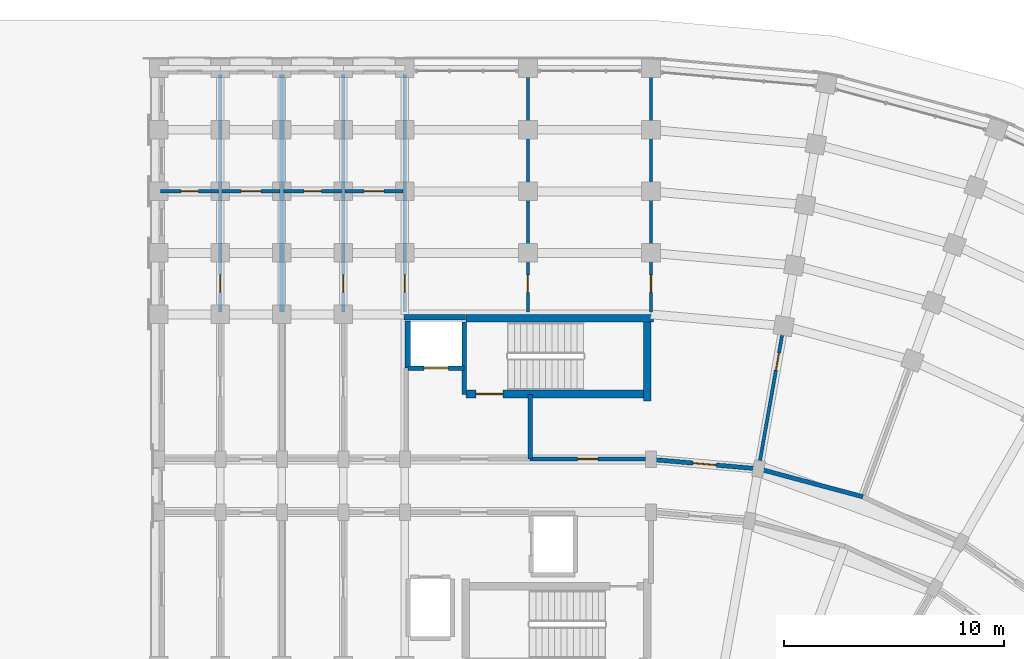
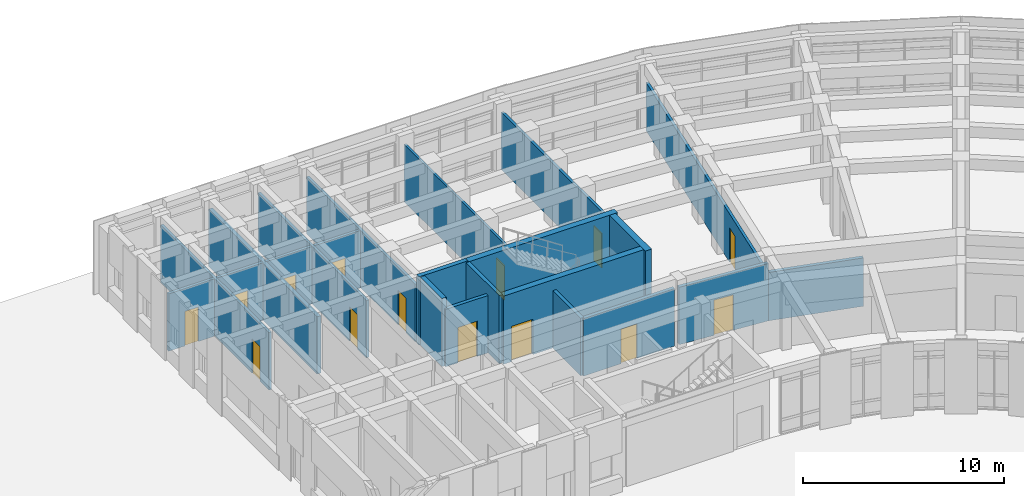
# One storey, part 106 of 135: 22 walls, 14 doors, 14 openings.
"""IFC4 building model written with IfcOpenShell, lengths in metres."""

from ifc_helpers import new_model, si_unit, direction, frame, frame_2d, origin, place, context, subcontext, project, spatial, rectangle, extrude, material, layer, layer_set, type_object, element, fill, save


model = new_model("IFC4")

# Units and contexts
model_context = context("Model", 3, precision=1e-05, world=origin(), true_north=direction((0.0, 1.0)))
body_context = subcontext(model_context, "Body", "Model", "MODEL_VIEW")
ifc_project = project(units=[si_unit("LENGTHUNIT", "METRE"), si_unit("AREAUNIT", "SQUARE_METRE"), si_unit("VOLUMEUNIT", "CUBIC_METRE"), si_unit("PLANEANGLEUNIT", "RADIAN"), si_unit("MASSUNIT", "GRAM", prefix="KILO")], contexts=[model_context])

# Site, building, storey
site_placement = place(None, origin())
site = spatial("IfcSite", under=ifc_project, at=site_placement, CompositionType="ELEMENT")
building_placement = place(site_placement, origin())
building = spatial("IfcBuilding", under=site, at=building_placement, Name="Kiranvali Square Residences", CompositionType="ELEMENT")
storey_placement = place(building_placement, origin())
storey = spatial("IfcBuildingStorey", under=building, at=storey_placement, Name="L00", CompositionType="ELEMENT", Elevation=0.0)

# Wall, opening, door
ifc_material_1 = material(Name="Autoclaved aerated concrete blockwork masonry", Category="masonry")
ifc_layer_1 = layer(ifc_material_1, 0.199951171875)
ifc_layer_set_1 = layer_set([ifc_layer_1], Name="Autoclaved aerated concrete blockwork masonry")
wall_type_1 = type_object("IfcWallType", Name="WL-COR-200", PredefinedType="STANDARD", material=ifc_layer_set_1)
wall_1_placement = place(storey_placement, frame((119.800048828125, 116.0, 0.0), z_axis=(0.0, 0.0, 1.0), x_axis=(0.996193663584, -0.087167566415, 0.0)))
wall_1 = element("IfcWall", 1, at=wall_1_placement, inside=storey, type_object=wall_type_1, Name="L00 architectural wall WL-L00-B-CCO-0", PredefinedType="STANDARD", context=body_context, shape_type="SweptSolid", body=[
    extrude(rectangle(XDim=4.91552734375, YDim=0.199951171875, at=frame_2d((2.457763671875, 0.0))), origin(), (0.0, 0.0, 1.0), 3.491943359375),
])
opening_1_placement = place(wall_1_placement, frame((1.917724609375, 0.0, 0.0)))
opening_1 = element("IfcOpeningElement", 2, at=opening_1_placement, cuts=wall_1, Name="Opening FD-APT-60C", PredefinedType="OPENING", context=body_context, shape_type="SweptSolid", body=[
    extrude(rectangle(XDim=1.080078125, YDim=2.14990234375, at=frame_2d((0.5400390625, 1.074951171875))), frame((0.0, 0.10986328125, 0.0), z_axis=(0.0, -1.0, 0.0), x_axis=(1.0, 0.0, 0.0)), (0.0, 0.0, 1.0), 0.219970703125),
])
ifc_material_2 = material(Name="Fire-rated acoustic hardwood and mineral-core door assembly", Category="wood")
door_type_1 = type_object("IfcDoorType", Name="DR-APT-1080", OperationType="NOTDEFINED", PredefinedType="DOOR", material=ifc_material_2)
door_1_placement = place(opening_1_placement, frame((1.080078125, 0.0, 0.0), z_axis=(0.0, 0.0, 1.0), x_axis=(-1.0, 0.0, 0.0)))
door_1 = element("IfcDoor", 3, at=door_1_placement, inside=storey, type_object=door_type_1, Name="L00 door DR-L00-0974 (DR-APT-1080)", OperationType="SINGLE_SWING_RIGHT", OverallHeight=2.14990234375, OverallWidth=1.080078125, PredefinedType="DOOR", context=body_context, shape_type="SweptSolid", body=[
    extrude(rectangle(XDim=1.080078125, YDim=2.14990234375, at=frame_2d((0.5400390625, 1.074951171875))), frame((0.0, 0.02490234375, 0.0), z_axis=(0.0, -1.0, 0.0), x_axis=(1.0, 0.0, 0.0)), (0.0, 0.0, 1.0), 0.050048828125),
])
fill(opening_1, door_1)

# Walls
wall_2_placement = place(storey_placement, frame((124.69677734375, 115.571533203125, 0.0), z_axis=(0.0, 0.0, 1.0), x_axis=(0.965930095386, -0.258803112091, 0.0)))
element("IfcWall", 4, at=wall_2_placement, inside=storey, type_object=wall_type_1, Name="L00 architectural wall WL-L00-B-CCO-1", PredefinedType="STANDARD", context=body_context, shape_type="SweptSolid", body=[
    extrude(rectangle(XDim=4.915771484375, YDim=0.199951171875, at=frame_2d((2.4580078125, 0.0))), origin(), (0.0, 0.0, 1.0), 2.94189453125),
])
ifc_layer_2 = layer(ifc_material_1, 0.219970703125)
ifc_layer_set_2 = layer_set([ifc_layer_2], Name="Autoclaved aerated concrete blockwork masonry")
wall_type_2 = type_object("IfcWallType", Name="WL-DEM-220", PredefinedType="STANDARD", material=ifc_layer_set_2)
wall_3_placement = place(storey_placement, frame((103.0, 122.699951171875, 0.0), z_axis=(0.0, 0.0, 1.0), x_axis=(0.0, 1.0, 0.0)))
element("IfcWall", 5, at=wall_3_placement, inside=storey, type_object=wall_type_2, Name="L00 architectural wall WL-L00-B-A1TO2-2", PredefinedType="STANDARD", context=body_context, shape_type="SweptSolid", body=[
    extrude(rectangle(XDim=10.820068359375, YDim=0.219970703125, at=frame_2d((5.41015625, 0.0))), origin(), (0.0, 0.0, 1.0), 3.491943359375),
])
ifc_layer_3 = layer(ifc_material_1, 0.199951171875)
ifc_layer_set_3 = layer_set([ifc_layer_3], Name="Autoclaved aerated concrete blockwork masonry")
wall_type_3 = type_object("IfcWallType", Name="WL-FFL-200", PredefinedType="STANDARD", material=ifc_layer_set_3)
wall_4_placement = place(storey_placement, frame((114.300048828125, 116.02001953125, 0.0), z_axis=(0.0, 0.0, 1.0), x_axis=(0.0, 1.0, 0.0)))
element("IfcWall", 6, at=wall_4_placement, inside=storey, type_object=wall_type_3, Name="L00 architectural wall WL-L00-B-FF-DIV", PredefinedType="STANDARD", context=body_context, shape_type="SweptSolid", body=[
    extrude(rectangle(XDim=2.929931640625, YDim=0.199951171875, at=frame_2d((1.46484375, 0.0))), origin(), (0.0, 0.0, 1.0), 3.491943359375),
])

# Wall, opening, door
wall_5_placement = place(storey_placement, frame((111.300048828125, 120.14990234375, 0.0), z_axis=(0.0, 0.0, 1.0), x_axis=(-1.0, 0.0, 0.0)))
wall_5 = element("IfcWall", 7, at=wall_5_placement, inside=storey, type_object=wall_type_3, Name="L00 architectural wall WL-L00-B-FF-LFT", PredefinedType="STANDARD", context=body_context, shape_type="SweptSolid", body=[
    extrude(rectangle(XDim=2.550048828125, YDim=0.199951171875, at=frame_2d((1.27490234375, 0.0))), origin(), (0.0, 0.0, 1.0), 3.491943359375),
])
opening_2_placement = place(wall_5_placement, frame((0.72509765625, 0.0, 0.0)))
opening_2 = element("IfcOpeningElement", 8, at=opening_2_placement, cuts=wall_5, Name="Opening LD-FF-110", PredefinedType="OPENING", context=body_context, shape_type="SweptSolid", body=[
    extrude(rectangle(XDim=1.10009765625, YDim=2.14990234375, at=frame_2d((0.550048828125, 1.074951171875))), frame((0.0, 0.10986328125, 0.0), z_axis=(0.0, -1.0, 0.0), x_axis=(1.0, 0.0, 0.0)), (0.0, 0.0, 1.0), 0.219970703125),
])
door_type_2 = type_object("IfcDoorType", Name="DR-LIFT-FF-1100", OperationType="SLIDING_TO_LEFT", PredefinedType="DOOR", material=ifc_material_2)
door_2_placement = place(opening_2_placement, origin())
door_2 = element("IfcDoor", 9, at=door_2_placement, inside=storey, type_object=door_type_2, Name="L00 door DR-L00-0942 (DR-LIFT-FF-1100)", OperationType="SLIDING_TO_LEFT", OverallHeight=2.14990234375, OverallWidth=1.10009765625, PredefinedType="DOOR", context=body_context, shape_type="SweptSolid", body=[
    extrude(rectangle(XDim=1.10009765625, YDim=2.14990234375, at=frame_2d((0.550048828125, 1.074951171875))), frame((0.0, 0.02490234375, 0.0), z_axis=(0.0, -1.0, 0.0), x_axis=(1.0, 0.0, 0.0)), (0.0, 0.0, 1.0), 0.050048828125),
])
fill(opening_2, door_2)

ifc_material_3 = material(Name="Acoustic gypsum board drylined partition", Category="gypsum")
ifc_layer_4 = layer(ifc_material_3, 0.125)
ifc_layer_set_4 = layer_set([ifc_layer_4], Name="Acoustic gypsum board drylined partition")
wall_type_4 = type_object("IfcWallType", Name="WL-PRT-125", PredefinedType="PARTITIONING", material=ifc_layer_set_4)
wall_6_placement = place(storey_placement, frame((114.199951171875, 122.699951171875, 0.0), z_axis=(0.0, 0.0, 1.0), x_axis=(0.0, 1.0, 0.0)))
wall_6 = element("IfcWall", 10, at=wall_6_placement, inside=storey, type_object=wall_type_4, Name="L00 architectural wall WL-L00-B-CF-MID", PredefinedType="PARTITIONING", context=body_context, shape_type="SweptSolid", body=[
    extrude(rectangle(XDim=10.820068359375, YDim=0.125, at=frame_2d((5.41015625, 0.0))), origin(), (0.0, 0.0, 1.0), 3.491943359375),
])
opening_3_placement = place(wall_6_placement, frame((0.8994140625, 0.0, 0.0)))
opening_3 = element("IfcOpeningElement", 11, at=opening_3_placement, cuts=wall_6, Name="Opening ID-WET", PredefinedType="OPENING", context=body_context, shape_type="SweptSolid", body=[
    extrude(rectangle(XDim=0.800048828125, YDim=2.10009765625, at=frame_2d((0.39990234375, 1.050048828125))), frame((0.0, 0.072509765625, 0.0), z_axis=(0.0, -1.0, 0.0), x_axis=(1.0, 0.0, 0.0)), (0.0, 0.0, 1.0), 0.14501953125),
])
ifc_material_4 = material(Name="Solid seasoned teak hardwood joinery", Category="wood")
door_type_3 = type_object("IfcDoorType", Name="DR-WET-800", OperationType="NOTDEFINED", PredefinedType="DOOR", material=ifc_material_4)
door_3_placement = place(opening_3_placement, origin())
door_3 = element("IfcDoor", 12, at=door_3_placement, inside=storey, type_object=door_type_3, Name="L00 door DR-L00-0953 (DR-WET-800)", OperationType="SINGLE_SWING_LEFT", OverallHeight=2.10009765625, OverallWidth=0.800048828125, PredefinedType="DOOR", context=body_context, shape_type="SweptSolid", body=[
    extrude(rectangle(XDim=0.800048828125, YDim=2.10009765625, at=frame_2d((0.39990234375, 1.050048828125))), frame((0.0, 0.02490234375, 0.0), z_axis=(0.0, -1.0, 0.0), x_axis=(1.0, 0.0, 0.0)), (0.0, 0.0, 1.0), 0.050048828125),
])
fill(opening_3, door_3)

ifc_layer_5 = layer(ifc_material_3, 0.14990234375)
ifc_layer_set_5 = layer_set([ifc_layer_5], Name="Acoustic gypsum board drylined partition")
wall_type_5 = type_object("IfcWallType", Name="WL-PRT-150", PredefinedType="PARTITIONING", material=ifc_layer_set_5)
wall_7_placement = place(storey_placement, frame((108.60009765625, 122.699951171875, 0.0), z_axis=(0.0, 0.0, 1.0), x_axis=(0.0, 1.0, 0.0)))
wall_7 = element("IfcWall", 13, at=wall_7_placement, inside=storey, type_object=wall_type_5, Name="L00 architectural wall WL-L00-B-A1TO2-0", PredefinedType="PARTITIONING", context=body_context, shape_type="SweptSolid", body=[
    extrude(rectangle(XDim=10.820068359375, YDim=0.14990234375, at=frame_2d((5.41015625, 0.0))), origin(), (0.0, 0.0, 1.0), 3.491943359375),
])
opening_4_placement = place(wall_7_placement, frame((0.8994140625, 0.0, 0.0)))
opening_4 = element("IfcOpeningElement", 14, at=opening_4_placement, cuts=wall_7, Name="Opening ID-WET", PredefinedType="OPENING", context=body_context, shape_type="SweptSolid", body=[
    extrude(rectangle(XDim=0.800048828125, YDim=2.10009765625, at=frame_2d((0.39990234375, 1.050048828125))), frame((0.0, 0.0849609375, 0.0), z_axis=(0.0, -1.0, 0.0), x_axis=(1.0, 0.0, 0.0)), (0.0, 0.0, 1.0), 0.169921875),
])
door_4_placement = place(opening_4_placement, frame((0.800048828125, 0.0, 0.0), z_axis=(0.0, 0.0, 1.0), x_axis=(-1.0, 0.0, 0.0)))
door_4 = element("IfcDoor", 15, at=door_4_placement, inside=storey, type_object=door_type_3, Name="L00 door DR-L00-0962 (DR-WET-800)", OperationType="SINGLE_SWING_RIGHT", OverallHeight=2.10009765625, OverallWidth=0.800048828125, PredefinedType="DOOR", context=body_context, shape_type="SweptSolid", body=[
    extrude(rectangle(XDim=0.800048828125, YDim=2.10009765625, at=frame_2d((0.39990234375, 1.050048828125))), frame((0.0, 0.02490234375, 0.0), z_axis=(0.0, -1.0, 0.0), x_axis=(1.0, 0.0, 0.0)), (0.0, 0.0, 1.0), 0.050048828125),
])
fill(opening_4, door_4)

wall_8_placement = place(storey_placement, frame((105.800048828125, 122.699951171875, 0.0), z_axis=(0.0, 0.0, 1.0), x_axis=(0.0, 1.0, 0.0)))
wall_8 = element("IfcWall", 16, at=wall_8_placement, inside=storey, type_object=wall_type_5, Name="L00 architectural wall WL-L00-B-A1TO2-1", PredefinedType="PARTITIONING", context=body_context, shape_type="SweptSolid", body=[
    extrude(rectangle(XDim=10.820068359375, YDim=0.14990234375, at=frame_2d((5.41015625, 0.0))), origin(), (0.0, 0.0, 1.0), 3.491943359375),
])
opening_5_placement = place(wall_8_placement, frame((0.8994140625, 0.0, 0.0)))
opening_5 = element("IfcOpeningElement", 17, at=opening_5_placement, cuts=wall_8, Name="Opening ID-WET", PredefinedType="OPENING", context=body_context, shape_type="SweptSolid", body=[
    extrude(rectangle(XDim=0.800048828125, YDim=2.10009765625, at=frame_2d((0.39990234375, 1.050048828125))), frame((0.0, 0.0849609375, 0.0), z_axis=(0.0, -1.0, 0.0), x_axis=(1.0, 0.0, 0.0)), (0.0, 0.0, 1.0), 0.169921875),
])
door_5_placement = place(opening_5_placement, origin())
door_5 = element("IfcDoor", 18, at=door_5_placement, inside=storey, type_object=door_type_3, Name="L00 door DR-L00-0965 (DR-WET-800)", OperationType="SINGLE_SWING_LEFT", OverallHeight=2.10009765625, OverallWidth=0.800048828125, PredefinedType="DOOR", context=body_context, shape_type="SweptSolid", body=[
    extrude(rectangle(XDim=0.800048828125, YDim=2.10009765625, at=frame_2d((0.39990234375, 1.050048828125))), frame((0.0, 0.02490234375, 0.0), z_axis=(0.0, -1.0, 0.0), x_axis=(1.0, 0.0, 0.0)), (0.0, 0.0, 1.0), 0.050048828125),
])
fill(opening_5, door_5)

wall_9_placement = place(storey_placement, frame((100.199951171875, 122.699951171875, 0.0), z_axis=(0.0, 0.0, 1.0), x_axis=(0.0, 1.0, 0.0)))
wall_9 = element("IfcWall", 19, at=wall_9_placement, inside=storey, type_object=wall_type_5, Name="L00 architectural wall WL-L00-B-A1TO2-3", PredefinedType="PARTITIONING", context=body_context, shape_type="SweptSolid", body=[
    extrude(rectangle(XDim=10.820068359375, YDim=0.14990234375, at=frame_2d((5.41015625, 0.0))), origin(), (0.0, 0.0, 1.0), 3.491943359375),
])
opening_6_placement = place(wall_9_placement, frame((0.8994140625, 0.0, 0.0)))
opening_6 = element("IfcOpeningElement", 20, at=opening_6_placement, cuts=wall_9, Name="Opening ID-WET", PredefinedType="OPENING", context=body_context, shape_type="SweptSolid", body=[
    extrude(rectangle(XDim=0.800048828125, YDim=2.10009765625, at=frame_2d((0.39990234375, 1.050048828125))), frame((0.0, 0.0849609375, 0.0), z_axis=(0.0, -1.0, 0.0), x_axis=(1.0, 0.0, 0.0)), (0.0, 0.0, 1.0), 0.169921875),
])
door_6_placement = place(opening_6_placement, frame((0.800048828125, 0.0, 0.0), z_axis=(0.0, 0.0, 1.0), x_axis=(-1.0, 0.0, 0.0)))
door_6 = element("IfcDoor", 21, at=door_6_placement, inside=storey, type_object=door_type_3, Name="L00 door DR-L00-0968 (DR-WET-800)", OperationType="SINGLE_SWING_RIGHT", OverallHeight=2.10009765625, OverallWidth=0.800048828125, PredefinedType="DOOR", context=body_context, shape_type="SweptSolid", body=[
    extrude(rectangle(XDim=0.800048828125, YDim=2.10009765625, at=frame_2d((0.39990234375, 1.050048828125))), frame((0.0, 0.02490234375, 0.0), z_axis=(0.0, -1.0, 0.0), x_axis=(1.0, 0.0, 0.0)), (0.0, 0.0, 1.0), 0.050048828125),
])
fill(opening_6, door_6)

wall_10_placement = place(storey_placement, frame((119.800048828125, 122.699951171875, 0.0), z_axis=(0.0, 0.0, 1.0), x_axis=(0.0, 1.0, 0.0)))
wall_10 = element("IfcWall", 22, at=wall_10_placement, inside=storey, type_object=wall_type_5, Name="L00 architectural wall WL-L00-B-RADO-0", PredefinedType="PARTITIONING", context=body_context, shape_type="SweptSolid", body=[
    extrude(rectangle(XDim=10.820068359375, YDim=0.14990234375, at=frame_2d((5.41015625, 0.0))), origin(), (0.0, 0.0, 1.0), 3.491943359375),
])
opening_7_placement = place(wall_10_placement, frame((0.8994140625, 0.0, 0.0)))
opening_7 = element("IfcOpeningElement", 23, at=opening_7_placement, cuts=wall_10, Name="Opening ID-WET", PredefinedType="OPENING", context=body_context, shape_type="SweptSolid", body=[
    extrude(rectangle(XDim=0.800048828125, YDim=2.10009765625, at=frame_2d((0.39990234375, 1.050048828125))), frame((0.0, 0.0849609375, 0.0), z_axis=(0.0, -1.0, 0.0), x_axis=(1.0, 0.0, 0.0)), (0.0, 0.0, 1.0), 0.169921875),
])
door_7_placement = place(opening_7_placement, origin())
door_7 = element("IfcDoor", 24, at=door_7_placement, inside=storey, type_object=door_type_3, Name="L00 door DR-L00-0969 (DR-WET-800)", OperationType="SINGLE_SWING_LEFT", OverallHeight=2.10009765625, OverallWidth=0.800048828125, PredefinedType="DOOR", context=body_context, shape_type="SweptSolid", body=[
    extrude(rectangle(XDim=0.800048828125, YDim=2.10009765625, at=frame_2d((0.39990234375, 1.050048828125))), frame((0.0, 0.02490234375, 0.0), z_axis=(0.0, -1.0, 0.0), x_axis=(1.0, 0.0, 0.0)), (0.0, 0.0, 1.0), 0.050048828125),
])
fill(opening_7, door_7)

wall_11_placement = place(storey_placement, frame((124.71435546875, 115.670166015625, 0.0), z_axis=(0.0, 0.0, 1.0), x_axis=(0.173646216546, 0.984808098809, 0.0)))
wall_11 = element("IfcWall", 25, at=wall_11_placement, inside=storey, type_object=wall_type_5, Name="L00 architectural wall WL-L00-B-RADO-1", PredefinedType="PARTITIONING", context=body_context, shape_type="SweptSolid", body=[
    extrude(rectangle(XDim=17.419921875, YDim=0.14990234375, at=frame_2d((8.7099609375, 0.0))), origin(), (0.0, 0.0, 1.0), 2.94189453125),
])
opening_8_placement = place(wall_11_placement, frame((4.44970703125, 0.0, 0.0)))
opening_8 = element("IfcOpeningElement", 26, at=opening_8_placement, cuts=wall_11, Name="Opening ID-WET", PredefinedType="OPENING", context=body_context, shape_type="SweptSolid", body=[
    extrude(rectangle(XDim=0.800048828125, YDim=2.10009765625, at=frame_2d((0.39990234375, 1.050048828125))), frame((0.0, 0.0849609375, 0.0), z_axis=(0.0, -1.0, 0.0), x_axis=(1.0, 0.0, 0.0)), (0.0, 0.0, 1.0), 0.169921875),
])
door_8_placement = place(opening_8_placement, frame((0.800048828125, 0.0, 0.0), z_axis=(0.0, 0.0, 1.0), x_axis=(-1.0, 0.0, 0.0)))
door_8 = element("IfcDoor", 27, at=door_8_placement, inside=storey, type_object=door_type_3, Name="L00 door DR-L00-0970 (DR-WET-800)", OperationType="SINGLE_SWING_RIGHT", OverallHeight=2.10009765625, OverallWidth=0.800048828125, PredefinedType="DOOR", context=body_context, shape_type="SweptSolid", body=[
    extrude(rectangle(XDim=0.800048828125, YDim=2.10009765625, at=frame_2d((0.39990234375, 1.050048828125))), frame((0.0, 0.02490234375, 0.0), z_axis=(0.0, -1.0, 0.0), x_axis=(1.0, 0.0, 0.0)), (0.0, 0.0, 1.0), 0.050048828125),
])
fill(opening_8, door_8)

ifc_layer_6 = layer(ifc_material_1, 0.199951171875)
ifc_layer_set_6 = layer_set([ifc_layer_6], Name="Autoclaved aerated concrete blockwork masonry")
wall_type_6 = type_object("IfcWallType", Name="WL-SHF-200", PredefinedType="STANDARD", material=ifc_layer_set_6)
wall_12_placement = place(storey_placement, frame((119.550048828125, 116.02001953125, 0.0), z_axis=(0.0, 0.0, 1.0), x_axis=(-1.0, 0.0, 0.0)))
wall_12 = element("IfcWall", 28, at=wall_12_placement, inside=storey, type_object=wall_type_6, Name="L00 architectural wall WL-L00-B-RSR-COR", PredefinedType="STANDARD", context=body_context, shape_type="SweptSolid", body=[
    extrude(rectangle(XDim=5.25, YDim=0.199951171875, at=frame_2d((2.625, 0.0))), origin(), (0.0, 0.0, 1.0), 3.491943359375),
])
opening_9_placement = place(wall_12_placement, frame((2.1650390625, 0.0, 0.0)))
opening_9 = element("IfcOpeningElement", 29, at=opening_9_placement, cuts=wall_12, Name="Opening FD-SVC-120", PredefinedType="OPENING", context=body_context, shape_type="SweptSolid", body=[
    extrude(rectangle(XDim=0.919921875, YDim=2.10009765625, at=frame_2d((0.4599609375, 1.050048828125))), frame((0.0, 0.10986328125, 0.0), z_axis=(0.0, -1.0, 0.0), x_axis=(1.0, 0.0, 0.0)), (0.0, 0.0, 1.0), 0.219970703125),
])
door_type_4 = type_object("IfcDoorType", Name="DR-SVC-900", OperationType="NOTDEFINED", PredefinedType="DOOR", material=ifc_material_2)
door_9_placement = place(opening_9_placement, origin())
door_9 = element("IfcDoor", 30, at=door_9_placement, inside=storey, type_object=door_type_4, Name="L00 door DR-L00-0941 (DR-SVC-900)", OperationType="SINGLE_SWING_LEFT", OverallHeight=2.10009765625, OverallWidth=0.919921875, PredefinedType="DOOR", context=body_context, shape_type="SweptSolid", body=[
    extrude(rectangle(XDim=0.919921875, YDim=2.10009765625, at=frame_2d((0.4599609375, 1.050048828125))), frame((0.0, 0.02490234375, 0.0), z_axis=(0.0, -1.0, 0.0), x_axis=(1.0, 0.0, 0.0)), (0.0, 0.0, 1.0), 0.050048828125),
])
fill(opening_9, door_9)

# Walls
wall_13_placement = place(storey_placement, frame((111.300048828125, 118.949951171875, 0.0), z_axis=(0.0, 0.0, 1.0), x_axis=(0.0, 1.0, 0.0)))
element("IfcWall", 31, at=wall_13_placement, inside=storey, type_object=wall_type_6, Name="L00 architectural wall WL-L00-B-FF-SHF", PredefinedType="STANDARD", context=body_context, shape_type="SweptSolid", body=[
    extrude(rectangle(XDim=3.300048828125, YDim=0.199951171875, at=frame_2d((1.64990234375, 0.0))), origin(), (0.0, 0.0, 1.0), 4.14990234375),
])
ifc_material_5 = material(Name="Concrete M45 (45 MPa)", Category="concrete")
ifc_layer_7 = layer(ifc_material_5, 0.25)
ifc_layer_set_7 = layer_set([ifc_layer_7], Name="Concrete M45 (45 MPa)")
wall_type_7 = type_object("IfcWallType", Name="WL-SHR-250", PredefinedType="SHEAR", material=ifc_layer_set_7)
wall_14_placement = place(storey_placement, frame((111.35009765625, 122.47509765625, 0.0), z_axis=(0.0, 0.0, 1.0), x_axis=(-1.0, 0.0, 0.0)))
element("IfcWall", 32, at=wall_14_placement, inside=storey, type_object=wall_type_7, Name="Block B core shear wall SW-BFF-BK-L00", PredefinedType="SHEAR", context=body_context, shape_type="SweptSolid", body=[
    extrude(rectangle(XDim=2.800048828125, YDim=0.25, at=frame_2d((1.39990234375, 0.0))), origin(), (0.0, 0.0, 1.0), 4.14990234375),
])
wall_15_placement = place(storey_placement, frame((108.72509765625, 120.14990234375, 0.0), z_axis=(0.0, 0.0, 1.0), x_axis=(0.0, 1.0, 0.0)))
element("IfcWall", 33, at=wall_15_placement, inside=storey, type_object=wall_type_7, Name="Block B core shear wall SW-BFF-SD-L00", PredefinedType="SHEAR", context=body_context, shape_type="SweptSolid", body=[
    extrude(rectangle(XDim=2.150146484375, YDim=0.25, at=frame_2d((1.0751953125, 0.0))), origin(), (0.0, 0.0, 1.0), 4.14990234375),
])
ifc_material_6 = material(Name="Concrete M50 (50 MPa)", Category="concrete")
ifc_layer_8 = layer(ifc_material_6, 0.35009765625)
ifc_layer_set_8 = layer_set([ifc_layer_8], Name="Concrete M50 (50 MPa)")
wall_type_8 = type_object("IfcWallType", Name="WL-SHR-350", PredefinedType="SHEAR", material=ifc_layer_set_8)
wall_16_placement = place(storey_placement, frame((119.919921875, 122.425048828125, 0.0), z_axis=(0.0, 0.0, 1.0), x_axis=(-1.0, 0.0, 0.0)))
element("IfcWall", 34, at=wall_16_placement, inside=storey, type_object=wall_type_8, Name="Block B core shear wall SW-B1-OUT-L00", PredefinedType="SHEAR", context=body_context, shape_type="SweptSolid", body=[
    extrude(rectangle(XDim=8.544921875, YDim=0.35009765625, at=frame_2d((4.2724609375, 0.0))), origin(), (0.0, 0.0, 1.0), 4.14990234375),
])

# Wall, opening, door
wall_17_placement = place(storey_placement, frame((119.449951171875, 118.97509765625, 0.0), z_axis=(0.0, 0.0, 1.0), x_axis=(-1.0, 0.0, 0.0)))
wall_17 = element("IfcWall", 35, at=wall_17_placement, inside=storey, type_object=wall_type_8, Name="Block B core shear wall SW-B1-IN-L00", PredefinedType="SHEAR", context=body_context, shape_type="SweptSolid", body=[
    extrude(rectangle(XDim=8.074951171875, YDim=0.35009765625, at=frame_2d((4.03759765625, 0.0))), origin(), (0.0, 0.0, 1.0), 4.14990234375),
])
opening_10_placement = place(wall_17_placement, frame((6.3798828125, 0.0, 0.0)))
opening_10 = element("IfcOpeningElement", 36, at=opening_10_placement, cuts=wall_17, Name="Opening FD-ST-120", PredefinedType="OPENING", context=body_context, shape_type="SweptSolid", body=[
    extrude(rectangle(XDim=1.239990234375, YDim=2.14990234375, at=frame_2d((0.6201171875, 1.074951171875))), frame((0.0, 0.18505859375, 0.0), z_axis=(0.0, -1.0, 0.0), x_axis=(1.0, 0.0, 0.0)), (0.0, 0.0, 1.0), 0.3701171875),
])
door_type_5 = type_object("IfcDoorType", Name="DR-FD120-1200", OperationType="NOTDEFINED", PredefinedType="DOOR", material=ifc_material_2)
door_10_placement = place(opening_10_placement, origin())
door_10 = element("IfcDoor", 37, at=door_10_placement, inside=storey, type_object=door_type_5, Name="L00 door DR-L00-0943 (DR-FD120-1200)", OperationType="SINGLE_SWING_LEFT", OverallHeight=2.14990234375, OverallWidth=1.239990234375, PredefinedType="DOOR", context=body_context, shape_type="SweptSolid", body=[
    extrude(rectangle(XDim=1.239990234375, YDim=2.14990234375, at=frame_2d((0.6201171875, 1.074951171875))), frame((0.0, 0.02490234375, 0.0), z_axis=(0.0, -1.0, 0.0), x_axis=(1.0, 0.0, 0.0)), (0.0, 0.0, 1.0), 0.050048828125),
])
fill(opening_10, door_10)

# Wall
wall_18_placement = place(storey_placement, frame((119.625, 118.64990234375, 0.0), z_axis=(0.0, 0.0, 1.0), x_axis=(0.0, 1.0, 0.0)))
element("IfcWall", 38, at=wall_18_placement, inside=storey, type_object=wall_type_8, Name="Block B core shear wall SW-B1-FAR-L00", PredefinedType="SHEAR", context=body_context, shape_type="SweptSolid", body=[
    extrude(rectangle(XDim=3.60009765625, YDim=0.35009765625, at=frame_2d((1.800048828125, 0.0))), origin(), (0.0, 0.0, 1.0), 4.14990234375),
])

# Wall, opening, door
ifc_layer_9 = layer(ifc_material_1, 0.159912109375)
ifc_layer_set_9 = layer_set([ifc_layer_9], Name="Autoclaved aerated concrete blockwork masonry")
wall_type_9 = type_object("IfcWallType", Name="WL-WET-160", PredefinedType="PLUMBINGWALL", material=ifc_layer_set_9)
wall_19_placement = place(storey_placement, frame((108.52001953125, 128.199951171875, 0.0), z_axis=(0.0, 0.0, 1.0), x_axis=(-1.0, 0.0, 0.0)))
wall_19 = element("IfcWall", 39, at=wall_19_placement, inside=storey, type_object=wall_type_9, Name="L00 architectural wall WL-L00-B-A1SP-0", PredefinedType="PLUMBINGWALL", context=body_context, shape_type="SweptSolid", body=[
    extrude(rectangle(XDim=2.64013671875, YDim=0.159912109375, at=frame_2d((1.320068359375, 0.0))), origin(), (0.0, 0.0, 1.0), 3.491943359375),
])
opening_11_placement = place(wall_19_placement, frame((0.8701171875, 0.0, 0.0)))
opening_11 = element("IfcOpeningElement", 40, at=opening_11_placement, cuts=wall_19, Name="Opening ID-1", PredefinedType="OPENING", context=body_context, shape_type="SweptSolid", body=[
    extrude(rectangle(XDim=0.89990234375, YDim=2.10009765625, at=frame_2d((0.449951171875, 1.050048828125))), frame((0.0, 0.08984375, 0.0), z_axis=(0.0, -1.0, 0.0), x_axis=(1.0, 0.0, 0.0)), (0.0, 0.0, 1.0), 0.179931640625),
])
door_type_6 = type_object("IfcDoorType", Name="DR-INT-900", OperationType="NOTDEFINED", PredefinedType="DOOR", material=ifc_material_4)
door_11_placement = place(opening_11_placement, origin())
door_11 = element("IfcDoor", 41, at=door_11_placement, inside=storey, type_object=door_type_6, Name="L00 door DR-L00-0955 (DR-INT-900)", OperationType="SINGLE_SWING_LEFT", OverallHeight=2.10009765625, OverallWidth=0.89990234375, PredefinedType="DOOR", context=body_context, shape_type="SweptSolid", body=[
    extrude(rectangle(XDim=0.89990234375, YDim=2.10009765625, at=frame_2d((0.449951171875, 1.050048828125))), frame((0.0, 0.02490234375, 0.0), z_axis=(0.0, -1.0, 0.0), x_axis=(1.0, 0.0, 0.0)), (0.0, 0.0, 1.0), 0.050048828125),
])
fill(opening_11, door_11)

wall_20_placement = place(storey_placement, frame((105.719970703125, 128.199951171875, 0.0), z_axis=(0.0, 0.0, 1.0), x_axis=(-1.0, 0.0, 0.0)))
wall_20 = element("IfcWall", 42, at=wall_20_placement, inside=storey, type_object=wall_type_9, Name="L00 architectural wall WL-L00-B-A1SP-1", PredefinedType="PLUMBINGWALL", context=body_context, shape_type="SweptSolid", body=[
    extrude(rectangle(XDim=2.639892578125, YDim=0.159912109375, at=frame_2d((1.31982421875, 0.0))), origin(), (0.0, 0.0, 1.0), 3.491943359375),
])
opening_12_placement = place(wall_20_placement, frame((0.919921875, 0.0, 0.0)))
opening_12 = element("IfcOpeningElement", 43, at=opening_12_placement, cuts=wall_20, Name="Opening ID-WET", PredefinedType="OPENING", context=body_context, shape_type="SweptSolid", body=[
    extrude(rectangle(XDim=0.800048828125, YDim=2.10009765625, at=frame_2d((0.39990234375, 1.050048828125))), frame((0.0, 0.08984375, 0.0), z_axis=(0.0, -1.0, 0.0), x_axis=(1.0, 0.0, 0.0)), (0.0, 0.0, 1.0), 0.179931640625),
])
door_12_placement = place(opening_12_placement, origin())
door_12 = element("IfcDoor", 44, at=door_12_placement, inside=storey, type_object=door_type_3, Name="L00 door DR-L00-0957 (DR-WET-800)", OperationType="SINGLE_SWING_LEFT", OverallHeight=2.10009765625, OverallWidth=0.800048828125, PredefinedType="DOOR", context=body_context, shape_type="SweptSolid", body=[
    extrude(rectangle(XDim=0.800048828125, YDim=2.10009765625, at=frame_2d((0.39990234375, 1.050048828125))), frame((0.0, 0.02490234375, 0.0), z_axis=(0.0, -1.0, 0.0), x_axis=(1.0, 0.0, 0.0)), (0.0, 0.0, 1.0), 0.050048828125),
])
fill(opening_12, door_12)

wall_21_placement = place(storey_placement, frame((102.919921875, 128.199951171875, 0.0), z_axis=(0.0, 0.0, 1.0), x_axis=(-1.0, 0.0, 0.0)))
wall_21 = element("IfcWall", 45, at=wall_21_placement, inside=storey, type_object=wall_type_9, Name="L00 architectural wall WL-L00-B-A1SP-2", PredefinedType="PLUMBINGWALL", context=body_context, shape_type="SweptSolid", body=[
    extrude(rectangle(XDim=2.639892578125, YDim=0.159912109375, at=frame_2d((1.31982421875, 0.0))), origin(), (0.0, 0.0, 1.0), 3.491943359375),
])
opening_13_placement = place(wall_21_placement, frame((0.8701171875, 0.0, 0.0)))
opening_13 = element("IfcOpeningElement", 46, at=opening_13_placement, cuts=wall_21, Name="Opening ID-1", PredefinedType="OPENING", context=body_context, shape_type="SweptSolid", body=[
    extrude(rectangle(XDim=0.89990234375, YDim=2.10009765625, at=frame_2d((0.449951171875, 1.050048828125))), frame((0.0, 0.08984375, 0.0), z_axis=(0.0, -1.0, 0.0), x_axis=(1.0, 0.0, 0.0)), (0.0, 0.0, 1.0), 0.179931640625),
])
door_13_placement = place(opening_13_placement, origin())
door_13 = element("IfcDoor", 47, at=door_13_placement, inside=storey, type_object=door_type_6, Name="L00 door DR-L00-0959 (DR-INT-900)", OperationType="SINGLE_SWING_LEFT", OverallHeight=2.10009765625, OverallWidth=0.89990234375, PredefinedType="DOOR", context=body_context, shape_type="SweptSolid", body=[
    extrude(rectangle(XDim=0.89990234375, YDim=2.10009765625, at=frame_2d((0.449951171875, 1.050048828125))), frame((0.0, 0.02490234375, 0.0), z_axis=(0.0, -1.0, 0.0), x_axis=(1.0, 0.0, 0.0)), (0.0, 0.0, 1.0), 0.050048828125),
])
fill(opening_13, door_13)

wall_22_placement = place(storey_placement, frame((100.1201171875, 128.199951171875, 0.0), z_axis=(0.0, 0.0, 1.0), x_axis=(-1.0, 0.0, 0.0)))
wall_22 = element("IfcWall", 48, at=wall_22_placement, inside=storey, type_object=wall_type_9, Name="L00 architectural wall WL-L00-B-A1SP-3", PredefinedType="PLUMBINGWALL", context=body_context, shape_type="SweptSolid", body=[
    extrude(rectangle(XDim=2.64013671875, YDim=0.159912109375, at=frame_2d((1.320068359375, 0.0))), origin(), (0.0, 0.0, 1.0), 3.491943359375),
])
opening_14_placement = place(wall_22_placement, frame((0.919921875, 0.0, 0.0)))
opening_14 = element("IfcOpeningElement", 49, at=opening_14_placement, cuts=wall_22, Name="Opening ID-WET", PredefinedType="OPENING", context=body_context, shape_type="SweptSolid", body=[
    extrude(rectangle(XDim=0.800048828125, YDim=2.10009765625, at=frame_2d((0.39990234375, 1.050048828125))), frame((0.0, 0.08984375, 0.0), z_axis=(0.0, -1.0, 0.0), x_axis=(1.0, 0.0, 0.0)), (0.0, 0.0, 1.0), 0.179931640625),
])
door_14_placement = place(opening_14_placement, origin())
door_14 = element("IfcDoor", 50, at=door_14_placement, inside=storey, type_object=door_type_3, Name="L00 door DR-L00-0961 (DR-WET-800)", OperationType="SINGLE_SWING_LEFT", OverallHeight=2.10009765625, OverallWidth=0.800048828125, PredefinedType="DOOR", context=body_context, shape_type="SweptSolid", body=[
    extrude(rectangle(XDim=0.800048828125, YDim=2.10009765625, at=frame_2d((0.39990234375, 1.050048828125))), frame((0.0, 0.02490234375, 0.0), z_axis=(0.0, -1.0, 0.0), x_axis=(1.0, 0.0, 0.0)), (0.0, 0.0, 1.0), 0.050048828125),
])
fill(opening_14, door_14)

save(model, "model.ifc")
